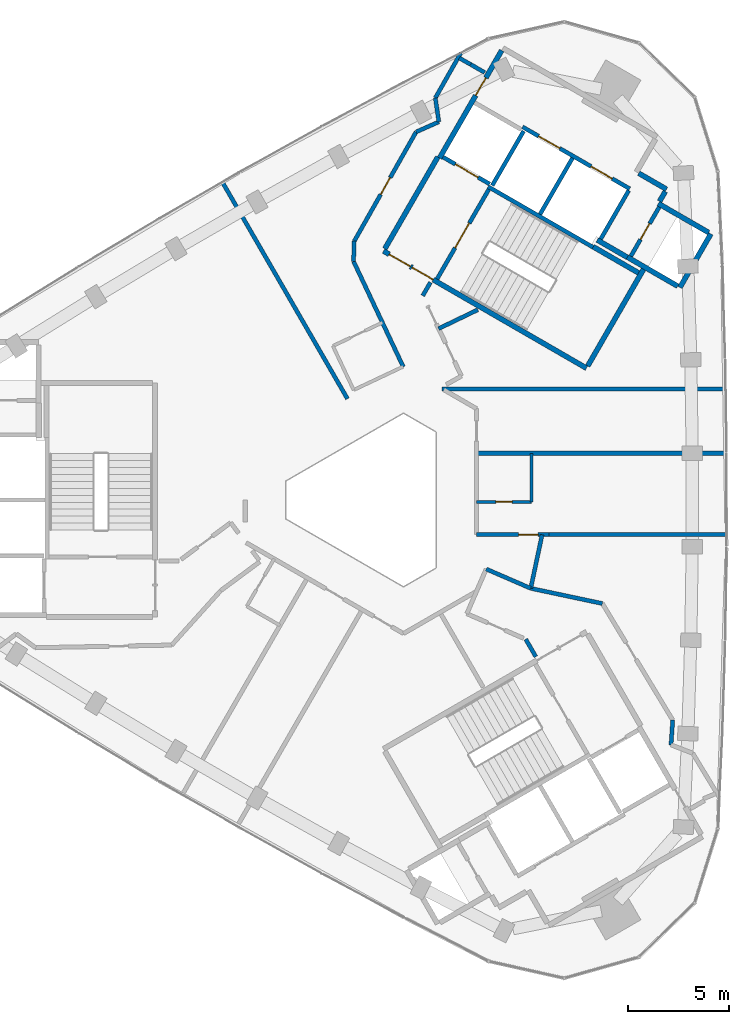
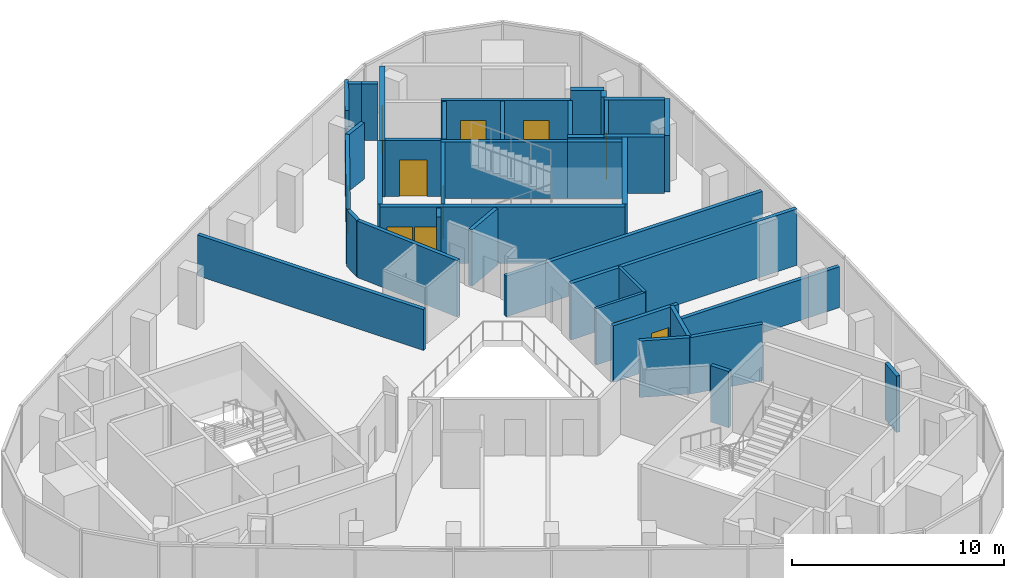
# One storey, part 8 of 10: 41 walls, 11 doors, 11 openings.
"""IFC4 building model written with IfcOpenShell, lengths in metres."""

from ifc_helpers import new_model, si_unit, direction, frame, frame_2d, origin, place, context, subcontext, project, spatial, rectangle, extrude, material, layer, layer_set, type_object, element, fill, save


model = new_model("IFC4")

# Units and contexts
model_context = context("Model", 3, precision=1e-05, world=origin(), true_north=direction((0.0, 1.0)))
body_context = subcontext(model_context, "Body", "Model", "MODEL_VIEW")
ifc_project = project(units=[si_unit("LENGTHUNIT", "METRE"), si_unit("AREAUNIT", "SQUARE_METRE"), si_unit("VOLUMEUNIT", "CUBIC_METRE"), si_unit("PLANEANGLEUNIT", "RADIAN"), si_unit("MASSUNIT", "GRAM", prefix="KILO")], contexts=[model_context])

# Site, building, storey
site_placement = place(None, origin())
site = spatial("IfcSite", under=ifc_project, at=site_placement, CompositionType="ELEMENT")
building_placement = place(site_placement, origin())
building = spatial("IfcBuilding", under=site, at=building_placement, Name="Tamra Quay Hotel Tower", CompositionType="ELEMENT")
storey_placement = place(building_placement, frame((0.0, 0.0, 265.800048828125)))
storey = spatial("IfcBuildingStorey", under=building, at=storey_placement, Name="L67", CompositionType="ELEMENT", Elevation=265.800048828125)

# Wall, openings, doors
ifc_material_1 = material(Name="Concrete M70", Category="concrete")
ifc_layer_1 = layer(ifc_material_1, 0.199951171875)
ifc_layer_set_1 = layer_set([ifc_layer_1], Name="Concrete M70 core wall 200")
wall_type_1 = type_object("IfcWallType", Name="Concrete M70 core wall 200", PredefinedType="SHEAR", material=ifc_layer_set_1)
wall_1_placement = place(storey_placement, frame((12.552490234375, 15.341552734375, 0.0), z_axis=(0.0, 0.0, 1.0), x_axis=(-0.866030299012, 0.499991521122, 0.0)))
wall_1 = element("IfcWall", 1, at=wall_1_placement, inside=storey, type_object=wall_type_1, Name="CW2", PredefinedType="SHEAR", context=body_context, shape_type="SweptSolid", body=[
    extrude(rectangle(XDim=6.10009765625, YDim=0.199951171875, at=frame_2d((3.050048828125, 0.0))), origin(), (0.0, 0.0, 1.0), 3.25),
])
opening_1_placement = place(wall_1_placement, frame((1.0, 0.0, 0.0)))
opening_1 = element("IfcOpeningElement", 2, at=opening_1_placement, cuts=wall_1, Name="Opening LD", PredefinedType="OPENING", context=body_context, shape_type="SweptSolid", body=[
    extrude(rectangle(XDim=1.199951171875, YDim=2.10009765625, at=frame_2d((0.60009765625, 1.050048828125))), frame((0.0, 0.10986328125, 0.0), z_axis=(0.0, -1.0, 0.0), x_axis=(1.0, 0.0, 0.0)), (0.0, 0.0, 1.0), 0.219970703125),
])
opening_2_placement = place(wall_1_placement, frame((3.982177734375, 0.0, 0.0)))
opening_2 = element("IfcOpeningElement", 3, at=opening_2_placement, cuts=wall_1, Name="Opening LD", PredefinedType="OPENING", context=body_context, shape_type="SweptSolid", body=[
    extrude(rectangle(XDim=1.199951171875, YDim=2.10009765625, at=frame_2d((0.60009765625, 1.050048828125))), frame((0.0, 0.10986328125, 0.0), z_axis=(0.0, -1.0, 0.0), x_axis=(1.0, 0.0, 0.0)), (0.0, 0.0, 1.0), 0.219970703125),
])
ifc_material_2 = material(Name="Landing door LD 1200 double door sliding")
door_type_1 = type_object("IfcDoorType", Name="Landing door LD 1200 double door sliding", OperationType="DOUBLE_DOOR_SLIDING", PredefinedType="DOOR", material=ifc_material_2)
door_1_placement = place(opening_1_placement, origin())
door_1 = element("IfcDoor", 4, at=door_1_placement, inside=storey, type_object=door_type_1, Name="LD", OperationType="DOUBLE_DOOR_SLIDING", OverallHeight=2.10009765625, OverallWidth=1.199951171875, PredefinedType="DOOR", context=body_context, shape_type="SweptSolid", body=[
    extrude(rectangle(XDim=1.199951171875, YDim=2.10009765625, at=frame_2d((0.60009765625, 1.050048828125))), frame((0.0, 0.02490234375, 0.0), z_axis=(0.0, -1.0, 0.0), x_axis=(1.0, 0.0, 0.0)), (0.0, 0.0, 1.0), 0.050048828125),
])
fill(opening_1, door_1)
door_2_placement = place(opening_2_placement, origin())
door_2 = element("IfcDoor", 5, at=door_2_placement, inside=storey, type_object=door_type_1, Name="LD", OperationType="DOUBLE_DOOR_SLIDING", OverallHeight=2.10009765625, OverallWidth=1.199951171875, PredefinedType="DOOR", context=body_context, shape_type="SweptSolid", body=[
    extrude(rectangle(XDim=1.199951171875, YDim=2.10009765625, at=frame_2d((0.60009765625, 1.050048828125))), frame((0.0, 0.02490234375, 0.0), z_axis=(0.0, -1.0, 0.0), x_axis=(1.0, 0.0, 0.0)), (0.0, 0.0, 1.0), 0.050048828125),
])
fill(opening_2, door_2)

# Wall
wall_2_placement = place(storey_placement, frame((10.7431640625, 12.4599609375, 0.0), z_axis=(0.0, 0.0, 1.0), x_axis=(-0.866018848283, 0.500011354289, 0.0)))
element("IfcWall", 6, at=wall_2_placement, inside=storey, type_object=wall_type_1, Name="CW2", PredefinedType="SHEAR", context=body_context, shape_type="SweptSolid", body=[
    extrude(rectangle(XDim=5.973876953125, YDim=0.199951171875, at=frame_2d((2.98681640625, 0.0))), origin(), (0.0, 0.0, 1.0), 3.25),
])

# Wall, opening, door
wall_3_placement = place(storey_placement, frame((3.056640625, 10.89453125, 0.0), z_axis=(0.0, 0.0, 1.0), x_axis=(0.500027839223, 0.866009330205, 0.0)))
wall_3 = element("IfcWall", 7, at=wall_3_placement, inside=storey, type_object=wall_type_1, Name="CW2", PredefinedType="SHEAR", context=body_context, shape_type="SweptSolid", body=[
    extrude(rectangle(XDim=5.097900390625, YDim=0.199951171875, at=frame_2d((2.548828125, 0.0))), origin(), (0.0, 0.0, 1.0), 3.25),
])
opening_3_placement = place(wall_3_placement, frame((1.77392578125, 0.0, 0.0)))
opening_3 = element("IfcOpeningElement", 8, at=opening_3_placement, cuts=wall_3, Name="Opening FD2", PredefinedType="OPENING", context=body_context, shape_type="SweptSolid", body=[
    extrude(rectangle(XDim=1.39990234375, YDim=2.10009765625, at=frame_2d((0.699951171875, 1.050048828125))), frame((0.0, 0.10986328125, 0.0), z_axis=(0.0, -1.0, 0.0), x_axis=(1.0, 0.0, 0.0)), (0.0, 0.0, 1.0), 0.219970703125),
])
ifc_material_3 = material(Name="Core door FD2 1400x2100 RH")
door_type_2 = type_object("IfcDoorType", Name="Core door FD2 1400x2100 RH", OperationType="NOTDEFINED", PredefinedType="DOOR", material=ifc_material_3)
door_3_placement = place(opening_3_placement, origin())
door_3 = element("IfcDoor", 9, at=door_3_placement, inside=storey, type_object=door_type_2, Name="FD2", OperationType="SINGLE_SWING_RIGHT", OverallHeight=2.10009765625, OverallWidth=1.39990234375, PredefinedType="DOOR", context=body_context, shape_type="SweptSolid", body=[
    extrude(rectangle(XDim=1.39990234375, YDim=2.10009765625, at=frame_2d((0.699951171875, 1.050048828125))), frame((0.0, 0.02490234375, 0.0), z_axis=(0.0, -1.0, 0.0), x_axis=(1.0, 0.0, 0.0)), (0.0, 0.0, 1.0), 0.050048828125),
])
fill(opening_3, door_3)

# Wall
wall_4_placement = place(storey_placement, frame((8.131591796875, 14.08447265625, 0.0), z_axis=(0.0, 0.0, 1.0), x_axis=(0.500030834389, 0.86600760081, 0.0)))
element("IfcWall", 10, at=wall_4_placement, inside=storey, type_object=wall_type_1, Name="CW2", PredefinedType="SHEAR", context=body_context, shape_type="SweptSolid", body=[
    extrude(rectangle(XDim=3.197998046875, YDim=0.199951171875, at=frame_2d((1.59912109375, 0.0))), origin(), (0.0, 0.0, 1.0), 3.25),
])

# Wall, opening, door
wall_5_placement = place(storey_placement, frame((14.0078125, 14.442138671875, 0.0), z_axis=(0.0, 0.0, 1.0), x_axis=(-0.499986818241, -0.866033014143, 0.0)))
wall_5 = element("IfcWall", 11, at=wall_5_placement, inside=storey, type_object=wall_type_1, Name="CW2", PredefinedType="SHEAR", context=body_context, shape_type="SweptSolid", body=[
    extrude(rectangle(XDim=2.7978515625, YDim=0.199951171875, at=frame_2d((1.39892578125, 0.0))), origin(), (0.0, 0.0, 1.0), 3.25),
])
opening_4_placement = place(wall_5_placement, frame((0.948974609375, 0.0, 0.0)))
opening_4 = element("IfcOpeningElement", 12, at=opening_4_placement, cuts=wall_5, Name="Opening D1", PredefinedType="OPENING", context=body_context, shape_type="SweptSolid", body=[
    extrude(rectangle(XDim=0.89990234375, YDim=2.10009765625, at=frame_2d((0.449951171875, 1.050048828125))), frame((0.0, 0.10986328125, 0.0), z_axis=(0.0, -1.0, 0.0), x_axis=(1.0, 0.0, 0.0)), (0.0, 0.0, 1.0), 0.219970703125),
])
ifc_material_4 = material(Name="Core door D1 900x2100 LH")
door_type_3 = type_object("IfcDoorType", Name="Core door D1 900x2100 LH", OperationType="NOTDEFINED", PredefinedType="DOOR", material=ifc_material_4)
door_4_placement = place(opening_4_placement, origin())
door_4 = element("IfcDoor", 13, at=door_4_placement, inside=storey, type_object=door_type_3, Name="D1", OperationType="SINGLE_SWING_LEFT", OverallHeight=2.10009765625, OverallWidth=0.89990234375, PredefinedType="DOOR", context=body_context, shape_type="SweptSolid", body=[
    extrude(rectangle(XDim=0.89990234375, YDim=2.10009765625, at=frame_2d((0.449951171875, 1.050048828125))), frame((0.0, 0.02490234375, 0.0), z_axis=(0.0, -1.0, 0.0), x_axis=(1.0, 0.0, 0.0)), (0.0, 0.0, 1.0), 0.050048828125),
])
fill(opening_4, door_4)

# Walls
wall_6_placement = place(storey_placement, frame((12.50244140625, 15.2548828125, 0.0), z_axis=(0.0, 0.0, 1.0), x_axis=(-0.499965018551, -0.866045599391, 0.0)))
element("IfcWall", 14, at=wall_6_placement, inside=storey, type_object=wall_type_1, Name="CW2", PredefinedType="SHEAR", context=body_context, shape_type="SweptSolid", body=[
    extrude(rectangle(XDim=2.759033203125, YDim=0.199951171875, at=frame_2d((1.37939453125, 0.0))), origin(), (0.0, 0.0, 1.0), 3.25),
])
wall_7_placement = place(storey_placement, frame((7.324462890625, 18.1865234375, 0.0), z_axis=(0.0, 0.0, 1.0), x_axis=(-0.499967891604, -0.866043940782, 0.0)))
element("IfcWall", 15, at=wall_7_placement, inside=storey, type_object=wall_type_1, Name="CW2", PredefinedType="SHEAR", context=body_context, shape_type="SweptSolid", body=[
    extrude(rectangle(XDim=3.099853515625, YDim=0.199951171875, at=frame_2d((1.5498046875, 0.0))), origin(), (0.0, 0.0, 1.0), 3.25),
])

# Wall, opening, door
wall_8_placement = place(storey_placement, frame((5.646240234375, 15.575927734375, 0.0), z_axis=(0.0, 0.0, 1.0), x_axis=(-0.866018407898, 0.500012117035, 0.0)))
wall_8 = element("IfcWall", 16, at=wall_8_placement, inside=storey, type_object=wall_type_1, Name="CW2", PredefinedType="SHEAR", context=body_context, shape_type="SweptSolid", body=[
    extrude(rectangle(XDim=2.65087890625, YDim=0.199951171875, at=frame_2d((1.325439453125, 0.0))), origin(), (0.0, 0.0, 1.0), 3.25),
])
opening_5_placement = place(wall_8_placement, frame((0.65185546875, 0.0, 0.0)))
opening_5 = element("IfcOpeningElement", 17, at=opening_5_placement, cuts=wall_8, Name="Opening LD", PredefinedType="OPENING", context=body_context, shape_type="SweptSolid", body=[
    extrude(rectangle(XDim=1.300048828125, YDim=2.10009765625, at=frame_2d((0.64990234375, 1.050048828125))), frame((0.0, 0.10986328125, 0.0), z_axis=(0.0, -1.0, 0.0), x_axis=(1.0, 0.0, 0.0)), (0.0, 0.0, 1.0), 0.219970703125),
])
ifc_material_5 = material(Name="Landing door LD 1300 sliding to right")
door_type_4 = type_object("IfcDoorType", Name="Landing door LD 1300 sliding to right", OperationType="NOTDEFINED", PredefinedType="DOOR", material=ifc_material_5)
door_5_placement = place(opening_5_placement, origin())
door_5 = element("IfcDoor", 18, at=door_5_placement, inside=storey, type_object=door_type_4, Name="LD", OperationType="SLIDING_TO_RIGHT", OverallHeight=2.10009765625, OverallWidth=1.300048828125, PredefinedType="DOOR", context=body_context, shape_type="SweptSolid", body=[
    extrude(rectangle(XDim=1.300048828125, YDim=2.10009765625, at=frame_2d((0.64990234375, 1.050048828125))), frame((0.0, 0.02490234375, 0.0), z_axis=(0.0, -1.0, 0.0), x_axis=(1.0, 0.0, 0.0)), (0.0, 0.0, 1.0), 0.050048828125),
])
fill(opening_5, door_5)

# Wall, openings, doors
ifc_layer_2 = layer(ifc_material_1, 0.25)
ifc_layer_set_2 = layer_set([ifc_layer_2], Name="Concrete M70 core wall 250")
wall_type_2 = type_object("IfcWallType", Name="Concrete M70 core wall 250", PredefinedType="SHEAR", material=ifc_layer_set_2)
wall_9_placement = place(storey_placement, frame((10.419921875, 6.497802734375, 0.0), z_axis=(0.0, 0.0, 1.0), x_axis=(-0.866021906294, 0.500006057782, 0.0)))
wall_9 = element("IfcWall", 19, at=wall_9_placement, inside=storey, type_object=wall_type_2, Name="CW1", PredefinedType="SHEAR", context=body_context, shape_type="SweptSolid", body=[
    extrude(rectangle(XDim=11.550048828125, YDim=0.25, at=frame_2d((5.77490234375, 0.0))), origin(), (0.0, 0.0, 1.0), 3.25),
])
opening_6_placement = place(wall_9_placement, frame((10.02490234375, 0.0, 0.0)))
opening_6 = element("IfcOpeningElement", 20, at=opening_6_placement, cuts=wall_9, Name="Opening FD1", PredefinedType="OPENING", context=body_context, shape_type="SweptSolid", body=[
    extrude(rectangle(XDim=1.199951171875, YDim=2.10009765625, at=frame_2d((0.60009765625, 1.050048828125))), frame((0.0, 0.135009765625, 0.0), z_axis=(0.0, -1.0, 0.0), x_axis=(1.0, 0.0, 0.0)), (0.0, 0.0, 1.0), 0.27001953125),
])
opening_7_placement = place(wall_9_placement, frame((8.724853515625, 0.0, 0.0)))
opening_7 = element("IfcOpeningElement", 21, at=opening_7_placement, cuts=wall_9, Name="Opening FD1", PredefinedType="OPENING", context=body_context, shape_type="SweptSolid", body=[
    extrude(rectangle(XDim=1.199951171875, YDim=2.10009765625, at=frame_2d((0.60009765625, 1.050048828125))), frame((0.0, 0.135009765625, 0.0), z_axis=(0.0, -1.0, 0.0), x_axis=(1.0, 0.0, 0.0)), (0.0, 0.0, 1.0), 0.27001953125),
])
ifc_material_6 = material(Name="Core door FD1 1200x2100 LH")
door_type_5 = type_object("IfcDoorType", Name="Core door FD1 1200x2100 LH", OperationType="NOTDEFINED", PredefinedType="DOOR", material=ifc_material_6)
door_6_placement = place(opening_6_placement, origin())
door_6 = element("IfcDoor", 22, at=door_6_placement, inside=storey, type_object=door_type_5, Name="FD1", OperationType="SINGLE_SWING_LEFT", OverallHeight=2.10009765625, OverallWidth=1.199951171875, PredefinedType="DOOR", context=body_context, shape_type="SweptSolid", body=[
    extrude(rectangle(XDim=1.199951171875, YDim=2.10009765625, at=frame_2d((0.60009765625, 1.050048828125))), frame((0.0, 0.02490234375, 0.0), z_axis=(0.0, -1.0, 0.0), x_axis=(1.0, 0.0, 0.0)), (0.0, 0.0, 1.0), 0.050048828125),
])
fill(opening_6, door_6)
ifc_material_7 = material(Name="Core door FD1 1200x2100 RH")
door_type_6 = type_object("IfcDoorType", Name="Core door FD1 1200x2100 RH", OperationType="NOTDEFINED", PredefinedType="DOOR", material=ifc_material_7)
door_7_placement = place(opening_7_placement, origin())
door_7 = element("IfcDoor", 23, at=door_7_placement, inside=storey, type_object=door_type_6, Name="FD1", OperationType="SINGLE_SWING_RIGHT", OverallHeight=2.10009765625, OverallWidth=1.199951171875, PredefinedType="DOOR", context=body_context, shape_type="SweptSolid", body=[
    extrude(rectangle(XDim=1.199951171875, YDim=2.10009765625, at=frame_2d((0.60009765625, 1.050048828125))), frame((0.0, 0.02490234375, 0.0), z_axis=(0.0, -1.0, 0.0), x_axis=(1.0, 0.0, 0.0)), (0.0, 0.0, 1.0), 0.050048828125),
])
fill(opening_7, door_7)

# Wall, opening, door
wall_10_placement = place(storey_placement, frame((3.178955078125, 16.856201171875, 0.0), z_axis=(0.0, 0.0, 1.0), x_axis=(0.500001955336, 0.866024274868, 0.0)))
wall_10 = element("IfcWall", 24, at=wall_10_placement, inside=storey, type_object=wall_type_2, Name="CW1", PredefinedType="SHEAR", context=body_context, shape_type="SweptSolid", body=[
    extrude(rectangle(XDim=6.12451171875, YDim=0.25, at=frame_2d((3.062255859375, 0.0))), origin(), (0.0, 0.0, 1.0), 3.25),
])
opening_8_placement = place(wall_10_placement, frame((3.562744140625, 0.0, 0.0)))
opening_8 = element("IfcOpeningElement", 25, at=opening_8_placement, cuts=wall_10, Name="Opening FD3", PredefinedType="OPENING", context=body_context, shape_type="SweptSolid", body=[
    extrude(rectangle(XDim=1.0, YDim=2.10009765625, at=frame_2d((0.5, 1.050048828125))), frame((0.0, 0.135009765625, 0.0), z_axis=(0.0, -1.0, 0.0), x_axis=(1.0, 0.0, 0.0)), (0.0, 0.0, 1.0), 0.27001953125),
])
ifc_material_8 = material(Name="Core door FD3 1000x2100 LH")
door_type_7 = type_object("IfcDoorType", Name="Core door FD3 1000x2100 LH", OperationType="NOTDEFINED", PredefinedType="DOOR", material=ifc_material_8)
door_8_placement = place(opening_8_placement, origin())
door_8 = element("IfcDoor", 26, at=door_8_placement, inside=storey, type_object=door_type_7, Name="FD3", OperationType="SINGLE_SWING_LEFT", OverallHeight=2.10009765625, OverallWidth=1.0, PredefinedType="DOOR", context=body_context, shape_type="SweptSolid", body=[
    extrude(rectangle(XDim=1.0, YDim=2.10009765625, at=frame_2d((0.5, 1.050048828125))), frame((0.0, 0.02490234375, 0.0), z_axis=(0.0, -1.0, 0.0), x_axis=(1.0, 0.0, 0.0)), (0.0, 0.0, 1.0), 0.050048828125),
])
fill(opening_8, door_8)

# Walls
wall_11_placement = place(storey_placement, frame((0.47998046875, 12.38134765625, 0.0), z_axis=(0.0, 0.0, 1.0), x_axis=(0.49999885962, 0.866026062182, 0.0)))
element("IfcWall", 27, at=wall_11_placement, inside=storey, type_object=wall_type_2, Name="CW1", PredefinedType="SHEAR", context=body_context, shape_type="SweptSolid", body=[
    extrude(rectangle(XDim=5.224609375, YDim=0.25, at=frame_2d((2.6123046875, 0.0))), origin(), (0.0, 0.0, 1.0), 3.25),
])
wall_12_placement = place(storey_placement, frame((13.237548828125, 11.3779296875, 0.0), z_axis=(0.0, 0.0, 1.0), x_axis=(-0.500008851346, -0.866020293397, 0.0)))
element("IfcWall", 28, at=wall_12_placement, inside=storey, type_object=wall_type_2, Name="CW1", PredefinedType="SHEAR", context=body_context, shape_type="SweptSolid", body=[
    extrude(rectangle(XDim=5.509765625, YDim=0.25, at=frame_2d((2.7548828125, 0.0))), origin(), (0.0, 0.0, 1.0), 3.25),
])
wall_13_placement = place(storey_placement, frame((16.552001953125, 13.118896484375, 0.0), z_axis=(0.0, 0.0, 1.0), x_axis=(-0.499978833458, -0.866037623948, 0.0)))
element("IfcWall", 29, at=wall_13_placement, inside=storey, type_object=wall_type_2, Name="CW1", PredefinedType="SHEAR", context=body_context, shape_type="SweptSolid", body=[
    extrude(rectangle(XDim=3.050048828125, YDim=0.25, at=frame_2d((1.52490234375, 0.0))), origin(), (0.0, 0.0, 1.0), 3.25),
])
wall_14_placement = place(storey_placement, frame((14.91845703125, 10.540283203125, 0.0), z_axis=(0.0, 0.0, 1.0), x_axis=(-0.866063538972, 0.499933942099, 0.0)))
element("IfcWall", 30, at=wall_14_placement, inside=storey, type_object=wall_type_2, Name="CW1", PredefinedType="SHEAR", context=body_context, shape_type="SweptSolid", body=[
    extrude(rectangle(XDim=2.86474609375, YDim=0.25, at=frame_2d((1.432373046875, 0.0))), origin(), (0.0, 0.0, 1.0), 3.25),
])
wall_15_placement = place(storey_placement, frame((13.962646484375, 14.61376953125, 0.0), z_axis=(0.0, 0.0, 1.0), x_axis=(0.866042235819, -0.499970844928, 0.0)))
element("IfcWall", 31, at=wall_15_placement, inside=storey, type_object=wall_type_2, Name="CW1", PredefinedType="SHEAR", context=body_context, shape_type="SweptSolid", body=[
    extrude(rectangle(XDim=2.864501953125, YDim=0.25, at=frame_2d((1.43212890625, 0.0))), origin(), (0.0, 0.0, 1.0), 3.25),
])
wall_16_placement = place(storey_placement, frame((10.756591796875, 12.481201171875, 0.0), z_axis=(0.0, 0.0, 1.0), x_axis=(0.866022940537, -0.500004266446, 0.0)))
element("IfcWall", 32, at=wall_16_placement, inside=storey, type_object=wall_type_2, Name="CW1", PredefinedType="SHEAR", context=body_context, shape_type="SweptSolid", body=[
    extrude(rectangle(XDim=2.57470703125, YDim=0.25, at=frame_2d((1.287353515625, 0.0))), origin(), (0.0, 0.0, 1.0), 3.25),
])
wall_17_placement = place(storey_placement, frame((12.4326171875, 11.9638671875, 0.0), z_axis=(0.0, 0.0, 1.0), x_axis=(-0.866038183914, 0.499977863513, 0.0)))
element("IfcWall", 33, at=wall_17_placement, inside=storey, type_object=wall_type_2, Name="CW1", PredefinedType="SHEAR", context=body_context, shape_type="SweptSolid", body=[
    extrude(rectangle(XDim=1.7099609375, YDim=0.25, at=frame_2d((0.85498046875, 0.0))), origin(), (0.0, 0.0, 1.0), 3.25),
])
wall_18_placement = place(storey_placement, frame((12.995361328125, 16.107666015625, 0.0), z_axis=(0.0, 0.0, 1.0), x_axis=(0.866044474677, -0.49996696679, 0.0)))
element("IfcWall", 34, at=wall_18_placement, inside=storey, type_object=wall_type_2, Name="CW1", PredefinedType="SHEAR", context=body_context, shape_type="SweptSolid", body=[
    extrude(rectangle(XDim=1.58447265625, YDim=0.25, at=frame_2d((0.792236328125, 0.0))), origin(), (0.0, 0.0, 1.0), 3.25),
])
wall_19_placement = place(storey_placement, frame((14.304931640625, 15.206787109375, 0.0), z_axis=(0.0, 0.0, 1.0), x_axis=(-0.499848422343, -0.866112899501, 0.0)))
element("IfcWall", 35, at=wall_19_placement, inside=storey, type_object=wall_type_2, Name="CW1", PredefinedType="SHEAR", context=body_context, shape_type="SweptSolid", body=[
    extrude(rectangle(XDim=0.559326171875, YDim=0.25, at=frame_2d((0.27978515625, 0.0))), origin(), (0.0, 0.0, 1.0), 3.25),
])
ifc_material_9 = material(Name="Partition corridor wall")
ifc_layer_3 = layer(ifc_material_9, 0.199951171875)
ifc_layer_set_3 = layer_set([ifc_layer_3], Name="Partition corridor wall")
wall_type_3 = type_object("IfcWallType", Name="Partition corridor wall", PredefinedType="PARTITIONING", material=ifc_layer_set_3)
wall_20_placement = place(storey_placement, frame((-1.06005859375, 11.760009765625, 0.0), z_axis=(0.0, 0.0, 1.0), x_axis=(0.426549824954, -0.904464066081, 0.0)))
element("IfcWall", 36, at=wall_20_placement, inside=storey, type_object=wall_type_3, Name="W-C", PredefinedType="PARTITIONING", context=body_context, shape_type="SweptSolid", body=[
    extrude(rectangle(XDim=5.74658203125, YDim=0.199951171875, at=frame_2d((2.873291015625, 0.0))), origin(), (0.0, 0.0, 1.0), 3.25),
])
wall_21_placement = place(storey_placement, frame((-1.06005859375, 11.760009765625, 0.0), z_axis=(0.0, 0.0, 1.0), x_axis=(0.032059906789, 0.999485949064, 0.0)))
element("IfcWall", 37, at=wall_21_placement, inside=storey, type_object=wall_type_3, Name="W-C", PredefinedType="PARTITIONING", context=body_context, shape_type="SweptSolid", body=[
    extrude(rectangle(XDim=0.99755859375, YDim=0.199951171875, at=frame_2d((0.498779296875, 0.0))), origin(), (0.0, 0.0, 1.0), 3.25),
])

# Wall, opening, door
wall_22_placement = place(storey_placement, frame((-1.027099609375, 12.757080078125, 0.0), z_axis=(0.0, 0.0, 1.0), x_axis=(0.492663063759, 0.870220147783, 0.0)))
wall_22 = element("IfcWall", 38, at=wall_22_placement, inside=storey, type_object=wall_type_3, Name="W-C", PredefinedType="PARTITIONING", context=body_context, shape_type="SweptSolid", body=[
    extrude(rectangle(XDim=6.18701171875, YDim=0.199951171875, at=frame_2d((3.093505859375, 0.0))), origin(), (0.0, 0.0, 1.0), 3.25),
])
opening_9_placement = place(wall_22_placement, frame((2.64990234375, 0.0, 0.0)))
opening_9 = element("IfcOpeningElement", 39, at=opening_9_placement, cuts=wall_22, Name="Opening L67-D008", PredefinedType="OPENING", context=body_context, shape_type="SweptSolid", body=[
    extrude(rectangle(XDim=0.949951171875, YDim=2.10009765625, at=frame_2d((0.47509765625, 1.050048828125))), frame((0.0, 0.10986328125, 0.0), z_axis=(0.0, -1.0, 0.0), x_axis=(1.0, 0.0, 0.0)), (0.0, 0.0, 1.0), 0.219970703125),
])
ifc_material_10 = material(Name="Door guest room 950x2100")
door_type_8 = type_object("IfcDoorType", Name="Door guest room 950x2100", OperationType="NOTDEFINED", PredefinedType="DOOR", material=ifc_material_10)
door_9_placement = place(opening_9_placement, origin())
door_9 = element("IfcDoor", 40, at=door_9_placement, inside=storey, type_object=door_type_8, Name="L67-D008", OperationType="SINGLE_SWING_LEFT", OverallHeight=2.10009765625, OverallWidth=0.949951171875, PredefinedType="DOOR", context=body_context, shape_type="SweptSolid", body=[
    extrude(rectangle(XDim=0.949951171875, YDim=2.10009765625, at=frame_2d((0.47509765625, 1.050048828125))), frame((0.0, 0.02490234375, 0.0), z_axis=(0.0, -1.0, 0.0), x_axis=(1.0, 0.0, 0.0)), (0.0, 0.0, 1.0), 0.050048828125),
])
fill(opening_9, door_9)

# Walls
wall_23_placement = place(storey_placement, frame((2.02099609375, 18.14111328125, 0.0), z_axis=(0.0, 0.0, 1.0), x_axis=(0.914343087003, 0.404940389748, 0.0)))
element("IfcWall", 41, at=wall_23_placement, inside=storey, type_object=wall_type_3, Name="W-C", PredefinedType="PARTITIONING", context=body_context, shape_type="SweptSolid", body=[
    extrude(rectangle(XDim=1.229248046875, YDim=0.199951171875, at=frame_2d((0.61474609375, 0.0))), origin(), (0.0, 0.0, 1.0), 3.25),
])
wall_24_placement = place(storey_placement, frame((2.35009765625, 10.071044921875, 0.0), z_axis=(0.0, 0.0, 1.0), x_axis=(0.500309905322, 0.865846405916, 0.0)))
element("IfcWall", 42, at=wall_24_placement, inside=storey, type_object=wall_type_3, Name="W-C", PredefinedType="PARTITIONING", context=body_context, shape_type="SweptSolid", body=[
    extrude(rectangle(XDim=0.75537109375, YDim=0.199951171875, at=frame_2d((0.377685546875, 0.0))), origin(), (0.0, 0.0, 1.0), 3.25),
])
wall_25_placement = place(storey_placement, frame((2.969970703125, 19.81689453125, 0.0), z_axis=(0.0, 0.0, 1.0), x_axis=(0.146986994932, -0.989138424752, 0.0)))
element("IfcWall", 43, at=wall_25_placement, inside=storey, type_object=wall_type_3, Name="W-C", PredefinedType="PARTITIONING", context=body_context, shape_type="SweptSolid", body=[
    extrude(rectangle(XDim=1.19091796875, YDim=0.199951171875, at=frame_2d((0.595458984375, 0.0))), origin(), (0.0, 0.0, 1.0), 2.349853515625),
])
wall_26_placement = place(storey_placement, frame((2.969970703125, 19.818115234375, 0.0), z_axis=(0.0, 0.0, 1.0), x_axis=(0.493215654548, 0.86990707441, 0.0)))
element("IfcWall", 44, at=wall_26_placement, inside=storey, type_object=wall_type_3, Name="W-C", PredefinedType="PARTITIONING", context=body_context, shape_type="SweptSolid", body=[
    extrude(rectangle(XDim=2.5478515625, YDim=0.199951171875, at=frame_2d((1.27392578125, 0.0))), origin(), (0.0, 0.0, 1.0), 3.25),
])
wall_27_placement = place(storey_placement, frame((4.154052734375, 21.785888671875, 0.0), z_axis=(0.0, 0.0, 1.0), x_axis=(0.868196374619, -0.496220772539, 0.0)))
element("IfcWall", 45, at=wall_27_placement, inside=storey, type_object=wall_type_3, Name="W-C", PredefinedType="PARTITIONING", context=body_context, shape_type="SweptSolid", body=[
    extrude(rectangle(XDim=0.642578125, YDim=0.199951171875, at=frame_2d((0.3212890625, 0.0))), origin(), (0.0, 0.0, 1.0), 3.25),
])
wall_28_placement = place(storey_placement, frame((4.716064453125, 21.468017578125, 0.0), z_axis=(0.0, 0.0, 1.0), x_axis=(0.865912682783, -0.500195187698, 0.0)))
element("IfcWall", 46, at=wall_28_placement, inside=storey, type_object=wall_type_3, Name="W-C", PredefinedType="PARTITIONING", context=body_context, shape_type="SweptSolid", body=[
    extrude(rectangle(XDim=0.789794921875, YDim=0.199951171875, at=frame_2d((0.39501953125, 0.0))), origin(), (0.0, 0.0, 1.0), 3.25),
])

# Wall, opening, door
wall_29_placement = place(storey_placement, frame((5.0009765625, -1.70703125, 0.0), z_axis=(0.0, 0.0, 1.0), x_axis=(1.0, 0.0, 0.0)))
wall_29 = element("IfcWall", 47, at=wall_29_placement, inside=storey, type_object=wall_type_3, Name="W-C", PredefinedType="PARTITIONING", context=body_context, shape_type="SweptSolid", body=[
    extrude(rectangle(XDim=3.56201171875, YDim=0.199951171875, at=frame_2d((1.781005859375, 0.0))), origin(), (0.0, 0.0, 1.0), 3.25),
])
opening_10_placement = place(wall_29_placement, frame((2.080078125, 0.0, 0.0)))
opening_10 = element("IfcOpeningElement", 48, at=opening_10_placement, cuts=wall_29, Name="Opening L67-D003", PredefinedType="OPENING", context=body_context, shape_type="SweptSolid", body=[
    extrude(rectangle(XDim=0.949951171875, YDim=2.10009765625, at=frame_2d((0.47509765625, 1.050048828125))), frame((0.0, 0.10986328125, 0.0), z_axis=(0.0, -1.0, 0.0), x_axis=(1.0, 0.0, 0.0)), (0.0, 0.0, 1.0), 0.219970703125),
])
door_10_placement = place(opening_10_placement, origin())
door_10 = element("IfcDoor", 49, at=door_10_placement, inside=storey, type_object=door_type_8, Name="L67-D003", OperationType="SINGLE_SWING_LEFT", OverallHeight=2.10009765625, OverallWidth=0.949951171875, PredefinedType="DOOR", context=body_context, shape_type="SweptSolid", body=[
    extrude(rectangle(XDim=0.949951171875, YDim=2.10009765625, at=frame_2d((0.47509765625, 1.050048828125))), frame((0.0, 0.02490234375, 0.0), z_axis=(0.0, -1.0, 0.0), x_axis=(1.0, 0.0, 0.0)), (0.0, 0.0, 1.0), 0.050048828125),
])
fill(opening_10, door_10)

# Walls
wall_30_placement = place(storey_placement, frame((5.47998046875, -3.404052734375, 0.0), z_axis=(0.0, 0.0, 1.0), x_axis=(0.917402729571, -0.39796008817, 0.0)))
element("IfcWall", 50, at=wall_30_placement, inside=storey, type_object=wall_type_3, Name="W-C", PredefinedType="PARTITIONING", context=body_context, shape_type="SweptSolid", body=[
    extrude(rectangle(XDim=2.389404296875, YDim=0.199951171875, at=frame_2d((1.19482421875, 0.0))), origin(), (0.0, 0.0, 1.0), 3.25),
])
wall_31_placement = place(storey_placement, frame((7.427001953125, -6.864013671875, 0.0), z_axis=(0.0, 0.0, 1.0), x_axis=(0.499942098031, -0.866058830921, 0.0)))
element("IfcWall", 51, at=wall_31_placement, inside=storey, type_object=wall_type_3, Name="W-C", PredefinedType="PARTITIONING", context=body_context, shape_type="SweptSolid", body=[
    extrude(rectangle(XDim=0.994140625, YDim=0.199951171875, at=frame_2d((0.4970703125, 0.0))), origin(), (0.0, 0.0, 1.0), 3.25),
])
wall_32_placement = place(storey_placement, frame((7.673095703125, -4.35498046875, 0.0), z_axis=(0.0, 0.0, 1.0), x_axis=(0.978232876952, -0.207510092407, 0.0)))
element("IfcWall", 52, at=wall_32_placement, inside=storey, type_object=wall_type_3, Name="W-C", PredefinedType="PARTITIONING", context=body_context, shape_type="SweptSolid", body=[
    extrude(rectangle(XDim=3.609619140625, YDim=0.199951171875, at=frame_2d((1.8046875, 0.0))), origin(), (0.0, 0.0, 1.0), 3.25),
])
wall_33_placement = place(storey_placement, frame((7.673095703125, -4.35400390625, 0.0), z_axis=(0.0, 0.0, 1.0), x_axis=(0.207939957157, 0.978141592111, 0.0)))
element("IfcWall", 53, at=wall_33_placement, inside=storey, type_object=wall_type_3, Name="W-C", PredefinedType="PARTITIONING", context=body_context, shape_type="SweptSolid", body=[
    extrude(rectangle(XDim=2.69677734375, YDim=0.199951171875, at=frame_2d((1.348388671875, 0.0))), origin(), (0.0, 0.0, 1.0), 3.25),
])
wall_34_placement = place(storey_placement, frame((14.5869140625, -12.071044921875, 0.0), z_axis=(0.0, 0.0, 1.0), x_axis=(0.070466777423, 0.997514126857, 0.0)))
element("IfcWall", 54, at=wall_34_placement, inside=storey, type_object=wall_type_3, Name="W-C", PredefinedType="PARTITIONING", context=body_context, shape_type="SweptSolid", body=[
    extrude(rectangle(XDim=1.222900390625, YDim=0.199951171875, at=frame_2d((0.611328125, 0.0))), origin(), (0.0, 0.0, 1.0), 3.25),
])

# Wall, opening, door
ifc_material_11 = material(Name="Partition en-suite wall")
ifc_layer_4 = layer(ifc_material_11, 0.14990234375)
ifc_layer_set_4 = layer_set([ifc_layer_4], Name="Partition en-suite wall")
wall_type_4 = type_object("IfcWallType", Name="Partition en-suite wall", PredefinedType="PARTITIONING", material=ifc_layer_set_4)
wall_35_placement = place(storey_placement, frame((5.0, -0.095947265625, 0.0), z_axis=(0.0, 0.0, 1.0), x_axis=(1.0, 0.0, 0.0)))
wall_35 = element("IfcWall", 55, at=wall_35_placement, inside=storey, type_object=wall_type_4, Name="W-E", PredefinedType="PARTITIONING", context=body_context, shape_type="SweptSolid", body=[
    extrude(rectangle(XDim=2.699951171875, YDim=0.14990234375, at=frame_2d((1.35009765625, 0.0))), origin(), (0.0, 0.0, 1.0), 3.25),
])
opening_11_placement = place(wall_35_placement, frame((0.949951171875, 0.0, 0.0)))
opening_11 = element("IfcOpeningElement", 56, at=opening_11_placement, cuts=wall_35, Name="Opening L67-D004", PredefinedType="OPENING", context=body_context, shape_type="SweptSolid", body=[
    extrude(rectangle(XDim=0.800048828125, YDim=2.10009765625, at=frame_2d((0.39990234375, 1.050048828125))), frame((0.0, 0.0849609375, 0.0), z_axis=(0.0, -1.0, 0.0), x_axis=(1.0, 0.0, 0.0)), (0.0, 0.0, 1.0), 0.169921875),
])
ifc_material_12 = material(Name="Door en-suite 800x2100")
door_type_9 = type_object("IfcDoorType", Name="Door en-suite 800x2100", OperationType="NOTDEFINED", PredefinedType="DOOR", material=ifc_material_12)
door_11_placement = place(opening_11_placement, origin())
door_11 = element("IfcDoor", 57, at=door_11_placement, inside=storey, type_object=door_type_9, Name="L67-D004", OperationType="SINGLE_SWING_LEFT", OverallHeight=2.10009765625, OverallWidth=0.800048828125, PredefinedType="DOOR", context=body_context, shape_type="SweptSolid", body=[
    extrude(rectangle(XDim=0.800048828125, YDim=2.10009765625, at=frame_2d((0.39990234375, 1.050048828125))), frame((0.0, 0.02490234375, 0.0), z_axis=(0.0, -1.0, 0.0), x_axis=(1.0, 0.0, 0.0)), (0.0, 0.0, 1.0), 0.050048828125),
])
fill(opening_11, door_11)

# Walls
wall_36_placement = place(storey_placement, frame((7.699951171875, -0.095947265625, 0.0), z_axis=(0.0, 0.0, 1.0), x_axis=(0.0, 1.0, 0.0)))
element("IfcWall", 58, at=wall_36_placement, inside=storey, type_object=wall_type_4, Name="W-E", PredefinedType="PARTITIONING", context=body_context, shape_type="SweptSolid", body=[
    extrude(rectangle(XDim=2.39990234375, YDim=0.14990234375, at=frame_2d((1.199951171875, 0.0))), origin(), (0.0, 0.0, 1.0), 3.25),
])
ifc_material_13 = material(Name="Partition party wall")
ifc_layer_5 = layer(ifc_material_13, 0.199951171875)
ifc_layer_set_5 = layer_set([ifc_layer_5], Name="Partition party wall")
wall_type_5 = type_object("IfcWallType", Name="Partition party wall", PredefinedType="PARTITIONING", material=ifc_layer_set_5)
wall_37_placement = place(storey_placement, frame((-7.5244140625, 15.665771484375, 0.0), z_axis=(0.0, 0.0, 1.0), x_axis=(0.499979611936, -0.866037174519, 0.0)))
element("IfcWall", 59, at=wall_37_placement, inside=storey, type_object=wall_type_5, Name="W-P", PredefinedType="PARTITIONING", context=body_context, shape_type="SweptSolid", body=[
    extrude(rectangle(XDim=12.3271484375, YDim=0.199951171875, at=frame_2d((6.16357421875, 0.0))), origin(), (0.0, 0.0, 1.0), 2.349853515625),
])
wall_38_placement = place(storey_placement, frame((3.133056640625, 8.447021484375, 0.0), z_axis=(0.0, 0.0, 1.0), x_axis=(0.900981876458, 0.433856725538, 0.0)))
element("IfcWall", 60, at=wall_38_placement, inside=storey, type_object=wall_type_5, Name="W-P", PredefinedType="PARTITIONING", context=body_context, shape_type="SweptSolid", body=[
    extrude(rectangle(XDim=2.142822265625, YDim=0.199951171875, at=frame_2d((1.0712890625, 0.0))), origin(), (0.0, 0.0, 1.0), 3.25),
])
wall_39_placement = place(storey_placement, frame((3.30810546875, 5.47998046875, 0.0), z_axis=(0.0, 0.0, 1.0), x_axis=(1.0, 0.0, 0.0)))
element("IfcWall", 61, at=wall_39_placement, inside=storey, type_object=wall_type_5, Name="W-P", PredefinedType="PARTITIONING", context=body_context, shape_type="SweptSolid", body=[
    extrude(rectangle(XDim=13.971435546875, YDim=0.199951171875, at=frame_2d((6.98583984375, 0.0))), origin(), (0.0, 0.0, 1.0), 2.349853515625),
])
wall_40_placement = place(storey_placement, frame((5.0, 2.303955078125, 0.0), z_axis=(0.0, 0.0, 1.0), x_axis=(1.0, 0.0, 0.0)))
element("IfcWall", 62, at=wall_40_placement, inside=storey, type_object=wall_type_5, Name="W-P", PredefinedType="PARTITIONING", context=body_context, shape_type="SweptSolid", body=[
    extrude(rectangle(XDim=12.3291015625, YDim=0.199951171875, at=frame_2d((6.16455078125, 0.0))), origin(), (0.0, 0.0, 1.0), 3.25),
])
wall_41_placement = place(storey_placement, frame((8.56396484375, -1.70703125, 0.0), z_axis=(0.0, 0.0, 1.0), x_axis=(1.0, 0.0, 0.0)))
element("IfcWall", 63, at=wall_41_placement, inside=storey, type_object=wall_type_5, Name="W-P", PredefinedType="PARTITIONING", context=body_context, shape_type="SweptSolid", body=[
    extrude(rectangle(XDim=8.76513671875, YDim=0.199951171875, at=frame_2d((4.382568359375, 0.0))), origin(), (0.0, 0.0, 1.0), 2.349853515625),
])

save(model, "model.ifc")
